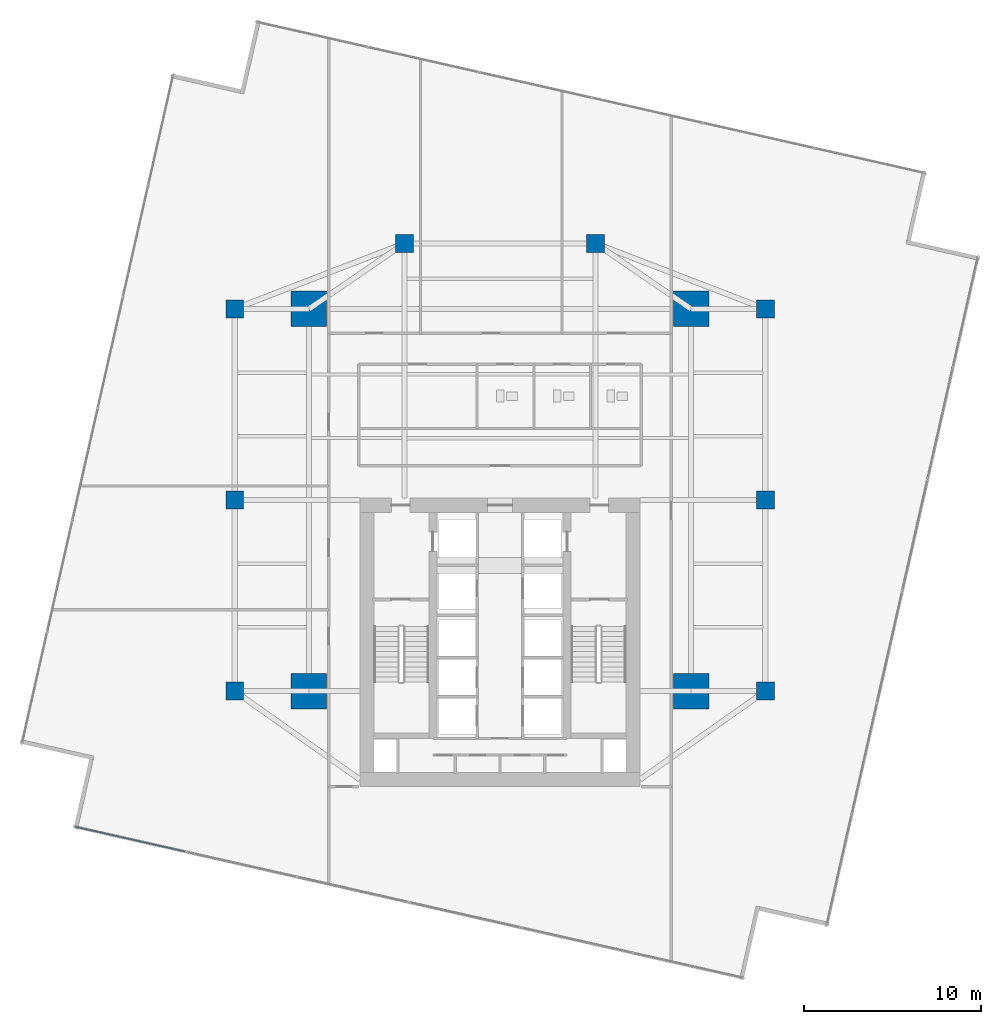
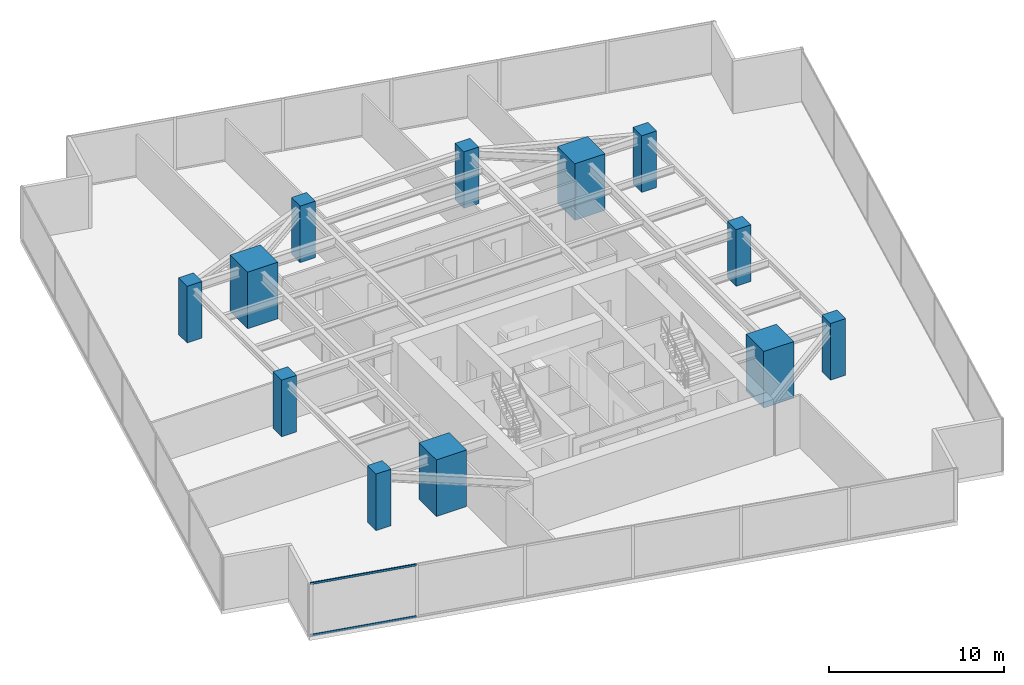
# One storey, part 1 of 26: 12 columns, 2 members, 1 element without a shape of its own.
"""IFC4 building model written with IfcOpenShell, lengths in metres."""

from ifc_helpers import new_model, si_unit, direction, frame, origin, origin_2d, place, context, subcontext, project, spatial, rectangle, hollow_rectangle, extrude, source, transform, mapped, material, material_profile, profile_set, type_object, type_shapes, element, aggregate, save


model = new_model("IFC4")

# Units and contexts
model_context = context("Model", 3, precision=1e-05, world=origin(), true_north=direction((0.0, 1.0)))
body_context = subcontext(model_context, "Body", "Model", "MODEL_VIEW")
ifc_project = project(units=[si_unit("LENGTHUNIT", "METRE"), si_unit("AREAUNIT", "SQUARE_METRE"), si_unit("VOLUMEUNIT", "CUBIC_METRE"), si_unit("PLANEANGLEUNIT", "RADIAN"), si_unit("MASSUNIT", "GRAM", prefix="KILO")], contexts=[model_context])

# Site, building, storey
site_placement = place(None, origin())
site = spatial("IfcSite", under=ifc_project, at=site_placement, CompositionType="ELEMENT")
building_placement = place(site_placement, origin())
building = spatial("IfcBuilding", under=site, at=building_placement, Name="Krantzveldt Concourse Tower", CompositionType="ELEMENT")
storey_placement = place(building_placement, frame((0.0, 0.0, 94.0)))
storey = spatial("IfcBuildingStorey", under=building, at=storey_placement, Name="L22", CompositionType="ELEMENT", Elevation=94.0)

# Columns
ifc_material_1 = material(Name="Concrete C60/75", Category="concrete")
ifc_material_profile_1 = material_profile(ifc_material_1, rectangle(XDim=2.0, YDim=2.0, at=origin_2d()), Name="Concrete C60/75", Category="concrete")
ifc_profile_set_1 = profile_set([ifc_material_profile_1], Name="Concrete C60/75 - RC 2000x2000")
column_type_1 = type_object("IfcColumnType", Name="COL-MC-2000", PredefinedType="USERDEFINED", material=ifc_profile_set_1)
shared_shape_1 = source(origin(), body_context, "Body", "SweptSolid", [
    extrude(rectangle(XDim=2.0, YDim=2.0, at=origin_2d()), origin(), (0.0, 0.0, 1.0), 3.949951171875),
])
type_shapes(column_type_1, [shared_shape_1])
for number, where, z_axis, x_axis, name in (
    (1, (25.199951171875, 15.89990234375, 0.0), (0.0, 0.0, 1.0), (1.0, 0.0, 0.0), "MC-SW-L22"),
    (2, (46.800048828125, 15.89990234375, 0.0), (0.0, 0.0, 1.0), (1.0, 0.0, 0.0), "MC-SE-L22"),
    (3, (46.800048828125, 37.5, 0.0), (0.0, 0.0, 1.0), (1.0, 0.0, 0.0), "MC-NE-L22"),
    (4, (25.199951171875, 37.5, 0.0), (0.0, 0.0, 1.0), (1.0, 0.0, 0.0), "MC-NW-L22"),
):
    element("IfcColumn", number, at=place(storey_placement, frame(where, z_axis=z_axis, x_axis=x_axis)), inside=storey, type_object=column_type_1, Name=name, ObjectType="MEGA COLUMN", PredefinedType="USERDEFINED", context=body_context, shape_type="MappedRepresentation", body=[
        mapped(shared_shape_1, transform((0.0, 0.0, 0.0), x_axis=(1.0, 0.0, 0.0), y_axis=(0.0, 1.0, 0.0), z_axis=(0.0, 0.0, 1.0), scale=1.0)),
    ])
ifc_material_profile_2 = material_profile(ifc_material_1, rectangle(XDim=1.0, YDim=1.0, at=origin_2d()), Name="Concrete C60/75", Category="concrete")
ifc_profile_set_2 = profile_set([ifc_material_profile_2], Name="Concrete C60/75 - RC 1000x1000")
column_type_2 = type_object("IfcColumnType", Name="COL-C-Z2", PredefinedType="COLUMN", material=ifc_profile_set_2)
shared_shape_2 = source(origin(), body_context, "Body", "SweptSolid", [
    extrude(rectangle(XDim=1.0, YDim=1.0, at=origin_2d()), origin(), (0.0, 0.0, 1.0), 3.949951171875),
])
type_shapes(column_type_2, [shared_shape_2])
for number, where, z_axis, x_axis, name in (
    (5, (21.0, 15.89990234375, 0.0), (0.0, 0.0, 1.0), (1.0, 0.0, 0.0), "PC-R01-L22"),
    (6, (21.0, 26.699951171875, 0.0), (0.0, 0.0, 1.0), (1.0, 0.0, 0.0), "PC-R02-L22"),
    (7, (21.0, 37.5, 0.0), (0.0, 0.0, 1.0), (1.0, 0.0, 0.0), "PC-R03-L22"),
    (8, (30.60009765625, 41.199951171875, 0.0), (0.0, 0.0, 1.0), (1.0, 0.0, 0.0), "PC-R04-L22"),
    (9, (41.39990234375, 41.199951171875, 0.0), (0.0, 0.0, 1.0), (1.0, 0.0, 0.0), "PC-R05-L22"),
    (10, (51.0, 37.5, 0.0), (0.0, 0.0, 1.0), (1.0, 0.0, 0.0), "PC-R06-L22"),
    (11, (51.0, 26.699951171875, 0.0), (0.0, 0.0, 1.0), (1.0, 0.0, 0.0), "PC-R07-L22"),
    (12, (51.0, 15.89990234375, 0.0), (0.0, 0.0, 1.0), (1.0, 0.0, 0.0), "PC-R08-L22"),
):
    element("IfcColumn", number, at=place(storey_placement, frame(where, z_axis=z_axis, x_axis=x_axis)), inside=storey, type_object=column_type_2, Name=name, PredefinedType="COLUMN", context=body_context, shape_type="MappedRepresentation", body=[
        mapped(shared_shape_2, transform((0.0, 0.0, 0.0), x_axis=(1.0, 0.0, 0.0), y_axis=(0.0, 1.0, 0.0), z_axis=(0.0, 0.0, 1.0), scale=1.0)),
    ])

# Curtain wall, members
ifc_material_2 = material(Name="Anodised aluminium 6063-T6", Category="aluminium")
curtain_wall_type = type_object("IfcCurtainWallType", Name="CW2", PredefinedType="USERDEFINED", material=ifc_material_2)
curtain_wall_placement = place(storey_placement, origin())
curtain_wall = element("IfcCurtainWall", 13, at=curtain_wall_placement, inside=storey, type_object=curtain_wall_type, Name="CW-L22-F04", ObjectType="UNITISED CURTAIN WALL", PredefinedType="USERDEFINED")
ifc_material_profile_3 = material_profile(ifc_material_2, hollow_rectangle(XDim=0.070068359375, YDim=0.139892578125, WallThickness=0.0048828125, at=origin_2d()), Name="Anodised aluminium 6063-T6", Category="aluminium")
ifc_profile_set_3 = profile_set([ifc_material_profile_3], Name="Anodised aluminium 6063-T6 - ALU-TRAN 140x70x5")
member_type = type_object("IfcMemberType", Name="CW-TRN-150", PredefinedType="USERDEFINED", material=ifc_profile_set_3)
shared_shape_3 = source(origin(), body_context, "Body", "SweptSolid", [
    extrude(hollow_rectangle(XDim=0.070068359375, YDim=0.139892578125, WallThickness=0.0048828125, at=origin_2d()), origin(), (0.0, 0.0, 1.0), 6.36181640625),
])
type_shapes(member_type, [shared_shape_3])
member_1_placement = place(storey_placement, frame((12.002197265625, 8.23095703125, 0.034912109375), z_axis=(0.975340894424, -0.220703737314, 0.0), x_axis=(0.220703737314, 0.975340894424, 0.0)))
member_1 = element("IfcMember", 14, at=member_1_placement, type_object=member_type, Name="CW-Z12 transom 1.1", ObjectType="TRANSOM", PredefinedType="USERDEFINED", context=body_context, shape_type="MappedRepresentation", body=[
    mapped(shared_shape_3, transform((0.0, 0.0, 0.0), x_axis=(1.0, 0.0, 0.0), y_axis=(0.0, 1.0, 0.0), z_axis=(0.0, 0.0, 1.0), scale=1.0)),
])
member_2_placement = place(storey_placement, frame((12.002197265625, 8.23095703125, 3.635009765625), z_axis=(0.975340894424, -0.220703737314, 0.0), x_axis=(0.220703737314, 0.975340894424, 0.0)))
member_2 = element("IfcMember", 15, at=member_2_placement, type_object=member_type, Name="CW-Z12 transom 1.2", ObjectType="TRANSOM", PredefinedType="USERDEFINED", context=body_context, shape_type="MappedRepresentation", body=[
    mapped(shared_shape_3, transform((0.0, 0.0, 0.0), x_axis=(1.0, 0.0, 0.0), y_axis=(0.0, 1.0, 0.0), z_axis=(0.0, 0.0, 1.0), scale=1.0)),
])
aggregate(curtain_wall, [member_1, member_2])

save(model, "model.ifc")
